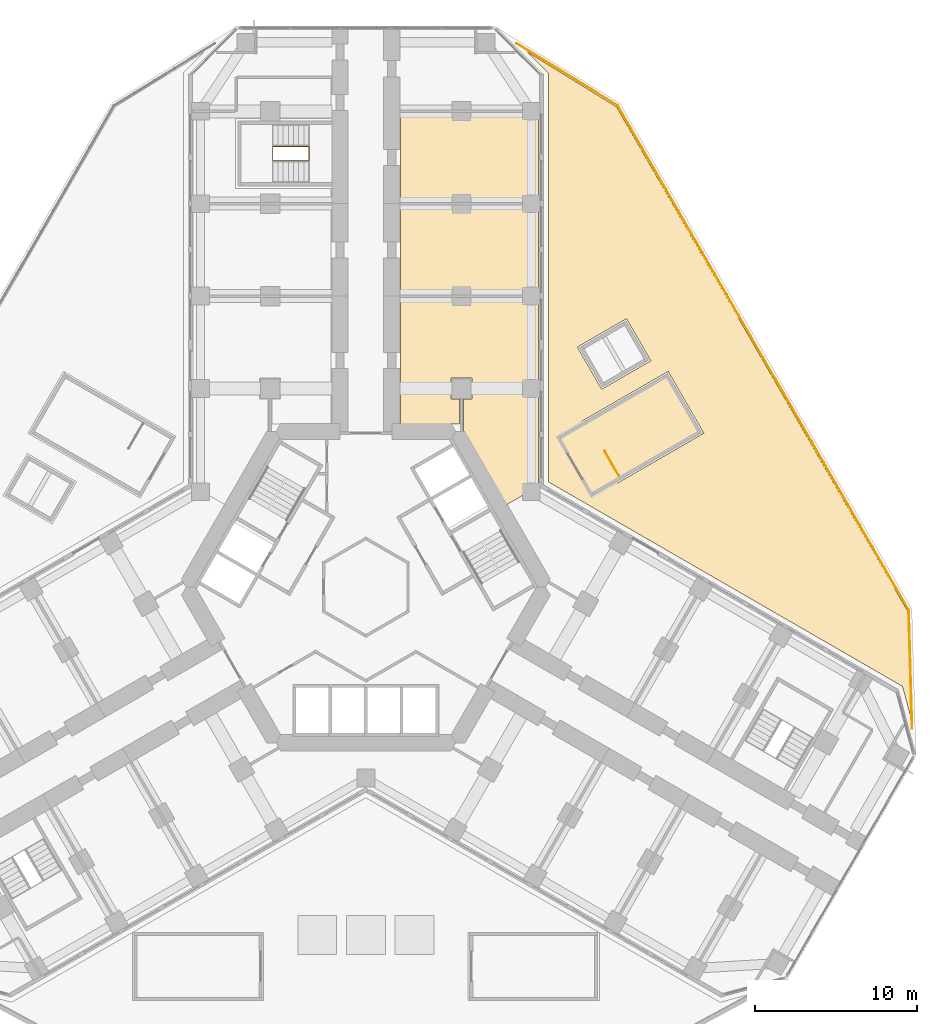
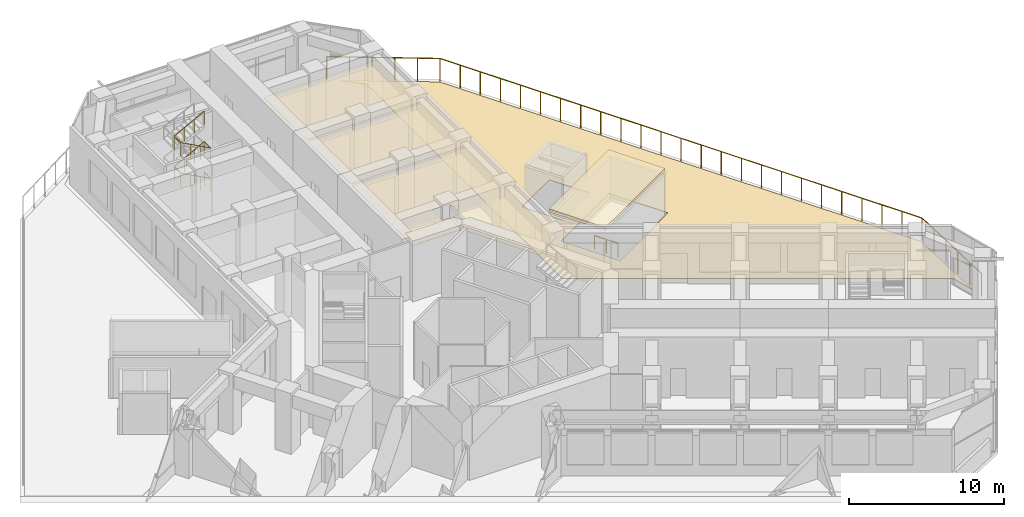
# One storey, part 18 of 18: 5 coverings, 3 railings.
"""IFC4 building model written with IfcOpenShell, lengths in metres."""

from ifc_helpers import new_model, si_unit, direction, frame, origin, origin_2d, place, context, subcontext, project, spatial, polyline, circle, outline, extrude, material, layer, layer_set, type_object, element, save


model = new_model("IFC4")

# Units and contexts
model_context = context("Model", 3, precision=1e-05, world=origin(), true_north=direction((0.0, 1.0)))
body_context = subcontext(model_context, "Body", "Model", "MODEL_VIEW")
ifc_project = project(units=[si_unit("LENGTHUNIT", "METRE"), si_unit("AREAUNIT", "SQUARE_METRE"), si_unit("VOLUMEUNIT", "CUBIC_METRE"), si_unit("PLANEANGLEUNIT", "RADIAN"), si_unit("MASSUNIT", "GRAM", prefix="KILO")], contexts=[model_context])

# Site, building, storey
site_placement = place(None, origin())
site = spatial("IfcSite", under=ifc_project, at=site_placement, CompositionType="ELEMENT")
building_placement = place(site_placement, origin())
building = spatial("IfcBuilding", under=site, at=building_placement, Name="Kosmar Iwan School Tower", CompositionType="ELEMENT")
storey_placement = place(building_placement, frame((0.0, 0.0, 20.39990234375)))
storey = spatial("IfcBuildingStorey", under=building, at=storey_placement, Name="L04", CompositionType="ELEMENT", Elevation=20.39990234375)

# Coverings
ifc_material_1 = material(Name="Mineral fibre acoustic tiles")
ifc_layer_1 = layer(ifc_material_1, 0.02490234375)
ifc_layer_set_1 = layer_set([ifc_layer_1], Name="Acoustic ceiling")
covering_type_1 = type_object("IfcCoveringType", Name="Acoustic ceiling", PredefinedType="CEILING", material=ifc_layer_set_1)
covering_1_placement = place(storey_placement, frame((0.0, 0.0, 3.650146484375)))
element("IfcCovering", 1, at=covering_1_placement, inside=storey, type_object=covering_type_1, Name="Ceiling Physics laboratory AR L04-AR-R1", PredefinedType="CEILING", context=body_context, shape_type="SweptSolid", body=[
    extrude(outline(polyline([(8.67236328125, 5.0791015625), (10.64990234375, 6.224365234375), (10.64990234375, 17.89990234375), (2.14990234375, 17.89990234375), (2.14990234375, 10.050048828125), (5.77490234375, 10.050048828125), (5.77490234375, 11.60009765625), (5.25, 11.60009765625), (5.25, 12.89990234375), (6.550048828125, 12.89990234375), (6.550048828125, 11.60009765625), (6.02490234375, 11.60009765625), (6.02490234375, 9.664306640625), (8.67236328125, 5.0791015625)])), origin(), (0.0, 0.0, 1.0), 0.02490234375),
])
covering_2_placement = place(storey_placement, frame((0.0, 0.0, 3.650146484375)))
element("IfcCovering", 2, at=covering_2_placement, inside=storey, type_object=covering_type_1, Name="Ceiling Chemistry laboratory AR L04-AR-R2", PredefinedType="CEILING", context=body_context, shape_type="SweptSolid", body=[
    extrude(outline(polyline([(2.14990234375, 18.06005859375), (10.64990234375, 18.06005859375), (10.64990234375, 23.60009765625), (2.14990234375, 23.60009765625), (2.14990234375, 18.06005859375)])), origin(), (0.0, 0.0, 1.0), 0.02490234375),
])
covering_3_placement = place(storey_placement, frame((0.0, 0.0, 3.650146484375)))
element("IfcCovering", 3, at=covering_3_placement, inside=storey, type_object=covering_type_1, Name="Ceiling Biology laboratory AR L04-AR-R3", PredefinedType="CEILING", context=body_context, shape_type="SweptSolid", body=[
    extrude(outline(polyline([(2.14990234375, 23.760009765625), (10.64990234375, 23.760009765625), (10.64990234375, 29.300048828125), (2.14990234375, 29.300048828125), (2.14990234375, 23.760009765625)])), origin(), (0.0, 0.0, 1.0), 0.02490234375),
])

# Railing
ifc_material_2 = material(Name="Black steel", Category="steel")
railing_type_1 = type_object("IfcRailingType", Name="Play deck guard 1800", PredefinedType="GUARDRAIL", material=ifc_material_2)
railing_1_placement = place(storey_placement, frame((9.297607421875, 33.53515625, 0.0400390625)))
element("IfcRailing", 4, at=railing_1_placement, inside=storey, type_object=railing_type_1, Name="Play deck guard AC", PredefinedType="GUARDRAIL", context=body_context, shape_type="SweptSolid", body=[
    extrude(circle(Radius=0.02392578125, at=origin_2d()), frame((0.0, 0.0, 1.77587890625), z_axis=(0.851476281934, -0.52439311714, 0.0), x_axis=(0.52439311714, 0.851476281934, 0.0)), (0.0, 0.0, 1.0), 7.32373046875),
    extrude(circle(Radius=0.02392578125, at=origin_2d()), frame((6.236083984375, -3.840576171875, 1.77587890625), z_axis=(0.500000316343, -0.866025221144, 0.0), x_axis=(0.866025221144, 0.500000316343, 0.0)), (0.0, 0.0, 1.0), 35.89892578125),
    extrude(circle(Radius=0.02392578125, at=origin_2d()), frame((24.185546875, -34.929931640625, 1.77587890625), z_axis=(0.028401797259, -0.999596587585, 0.0), x_axis=(0.999596587585, 0.028401797259, 0.0)), (0.0, 0.0, 1.0), 7.32373046875),
    extrude(circle(Radius=0.02099609375, at=origin_2d()), origin(), (0.0, 0.0, 1.0), 1.751953125),
    extrude(circle(Radius=0.02099609375, at=origin_2d()), frame((1.247314453125, -0.76806640625, 0.0)), (0.0, 0.0, 1.0), 1.751953125),
    extrude(circle(Radius=0.02099609375, at=origin_2d()), frame((2.494384765625, -1.5361328125, 0.0)), (0.0, 0.0, 1.0), 1.751953125),
    extrude(circle(Radius=0.02099609375, at=origin_2d()), frame((3.74169921875, -2.304443359375, 0.0)), (0.0, 0.0, 1.0), 1.751953125),
    extrude(circle(Radius=0.02099609375, at=origin_2d()), frame((4.98876953125, -3.072509765625, 0.0)), (0.0, 0.0, 1.0), 1.751953125),
    extrude(circle(Radius=0.02099609375, at=origin_2d()), frame((6.236083984375, -3.840576171875, 0.0)), (0.0, 0.0, 1.0), 1.751953125),
    extrude(circle(Radius=0.02099609375, at=origin_2d()), frame((6.98388671875, -5.135986328125, 0.0)), (0.0, 0.0, 1.0), 1.751953125),
    extrude(circle(Radius=0.02099609375, at=origin_2d()), frame((7.73193359375, -6.431396484375, 0.0)), (0.0, 0.0, 1.0), 1.751953125),
    extrude(circle(Radius=0.02099609375, at=origin_2d()), frame((8.479736328125, -7.726806640625, 0.0)), (0.0, 0.0, 1.0), 1.751953125),
    extrude(circle(Radius=0.02099609375, at=origin_2d()), frame((9.2275390625, -9.022216796875, 0.0)), (0.0, 0.0, 1.0), 1.751953125),
    extrude(circle(Radius=0.02099609375, at=origin_2d()), frame((9.9755859375, -10.317626953125, 0.0)), (0.0, 0.0, 1.0), 1.751953125),
    extrude(circle(Radius=0.02099609375, at=origin_2d()), frame((10.723388671875, -11.61279296875, 0.0)), (0.0, 0.0, 1.0), 1.751953125),
    extrude(circle(Radius=0.02099609375, at=origin_2d()), frame((11.471435546875, -12.908203125, 0.0)), (0.0, 0.0, 1.0), 1.751953125),
    extrude(circle(Radius=0.02099609375, at=origin_2d()), frame((12.21923828125, -14.20361328125, 0.0)), (0.0, 0.0, 1.0), 1.751953125),
    extrude(circle(Radius=0.02099609375, at=origin_2d()), frame((12.967041015625, -15.4990234375, 0.0)), (0.0, 0.0, 1.0), 1.751953125),
    extrude(circle(Radius=0.02099609375, at=origin_2d()), frame((13.715087890625, -16.79443359375, 0.0)), (0.0, 0.0, 1.0), 1.751953125),
    extrude(circle(Radius=0.02099609375, at=origin_2d()), frame((14.462890625, -18.08984375, 0.0)), (0.0, 0.0, 1.0), 1.751953125),
    extrude(circle(Radius=0.02099609375, at=origin_2d()), frame((15.2109375, -19.38525390625, 0.0)), (0.0, 0.0, 1.0), 1.751953125),
    extrude(circle(Radius=0.02099609375, at=origin_2d()), frame((15.958740234375, -20.6806640625, 0.0)), (0.0, 0.0, 1.0), 1.751953125),
    extrude(circle(Radius=0.02099609375, at=origin_2d()), frame((16.70654296875, -21.97607421875, 0.0)), (0.0, 0.0, 1.0), 1.751953125),
    extrude(circle(Radius=0.02099609375, at=origin_2d()), frame((17.45458984375, -23.271484375, 0.0)), (0.0, 0.0, 1.0), 1.751953125),
    extrude(circle(Radius=0.02099609375, at=origin_2d()), frame((18.202392578125, -24.56689453125, 0.0)), (0.0, 0.0, 1.0), 1.751953125),
    extrude(circle(Radius=0.02099609375, at=origin_2d()), frame((18.9501953125, -25.8623046875, 0.0)), (0.0, 0.0, 1.0), 1.751953125),
    extrude(circle(Radius=0.02099609375, at=origin_2d()), frame((19.6982421875, -27.15771484375, 0.0)), (0.0, 0.0, 1.0), 1.751953125),
    extrude(circle(Radius=0.02099609375, at=origin_2d()), frame((20.446044921875, -28.452880859375, 0.0)), (0.0, 0.0, 1.0), 1.751953125),
    extrude(circle(Radius=0.02099609375, at=origin_2d()), frame((21.19384765625, -29.748291015625, 0.0)), (0.0, 0.0, 1.0), 1.751953125),
    extrude(circle(Radius=0.02099609375, at=origin_2d()), frame((21.94189453125, -31.043701171875, 0.0)), (0.0, 0.0, 1.0), 1.751953125),
    extrude(circle(Radius=0.02099609375, at=origin_2d()), frame((22.689697265625, -32.339111328125, 0.0)), (0.0, 0.0, 1.0), 1.751953125),
    extrude(circle(Radius=0.02099609375, at=origin_2d()), frame((23.437744140625, -33.634521484375, 0.0)), (0.0, 0.0, 1.0), 1.751953125),
    extrude(circle(Radius=0.02099609375, at=origin_2d()), frame((24.185546875, -34.929931640625, 0.0)), (0.0, 0.0, 1.0), 1.751953125),
    extrude(circle(Radius=0.02099609375, at=origin_2d()), frame((24.22705078125, -36.39404296875, 0.0)), (0.0, 0.0, 1.0), 1.751953125),
    extrude(circle(Radius=0.02099609375, at=origin_2d()), frame((24.268798828125, -37.858154296875, 0.0)), (0.0, 0.0, 1.0), 1.751953125),
    extrude(circle(Radius=0.02099609375, at=origin_2d()), frame((24.310302734375, -39.322509765625, 0.0)), (0.0, 0.0, 1.0), 1.751953125),
    extrude(circle(Radius=0.02099609375, at=origin_2d()), frame((24.35205078125, -40.78662109375, 0.0)), (0.0, 0.0, 1.0), 1.751953125),
    extrude(circle(Radius=0.02099609375, at=origin_2d()), frame((24.3935546875, -42.250732421875, 0.0)), (0.0, 0.0, 1.0), 1.751953125),
])

# Coverings
ifc_material_3 = material(Name="Rubber safety surfacing")
ifc_layer_2 = layer(ifc_material_3, 0.0400390625)
ifc_layer_set_2 = layer_set([ifc_layer_2], Name="Play deck safety surface")
covering_type_2 = type_object("IfcCoveringType", Name="Play deck safety surface", PredefinedType="FLOORING", material=ifc_layer_set_2)
covering_4_placement = place(storey_placement, origin())
element("IfcCovering", 5, at=covering_4_placement, inside=storey, type_object=covering_type_2, Name="Play deck surface AC", PredefinedType="FLOORING", context=body_context, shape_type="SweptSolid", body=[
    extrude(outline(polyline([(33.56689453125, -7.86572265625), (33.384033203125, -1.4228515625), (15.459716796875, 29.622802734375), (9.971435546875, 33.002685546875), (11.25, 31.724365234375), (11.25, 6.4951171875), (33.09912109375, -6.119384765625), (33.56689453125, -7.86572265625)]), holes=[polyline([(18.645263671875, 13.30517578125), (13.29345703125, 10.21533203125), (15.493408203125, 6.40478515625), (20.845458984375, 9.49462890625), (18.645263671875, 13.30517578125)]), polyline([(17.57568359375, 13.957763671875), (16.07568359375, 16.555908203125), (13.044677734375, 14.805908203125), (14.544677734375, 12.207763671875), (17.57568359375, 13.957763671875)])]), origin(), (0.0, 0.0, 1.0), 0.0400390625),
])
ifc_material_4 = material(Name="Insulated roofing membrane")
ifc_layer_3 = layer(ifc_material_4, 0.25)
ifc_layer_set_3 = layer_set([ifc_layer_3], Name="Roof membrane and insulation")
covering_type_3 = type_object("IfcCoveringType", Name="Roof membrane and insulation", PredefinedType="ROOFING", material=ifc_layer_set_3)
covering_5_placement = place(storey_placement, frame((0.0, 0.0, 3.400146484375)))
element("IfcCovering", 6, at=covering_5_placement, inside=storey, type_object=covering_type_3, Name="School stair SS3 roof covering", PredefinedType="ROOFING", context=body_context, shape_type="SweptSolid", body=[
    extrude(outline(polyline([(13.953857421875, 5.63134765625), (20.6220703125, 9.4814453125), (18.522216796875, 13.11865234375), (11.853759765625, 9.2685546875), (13.953857421875, 5.63134765625)])), origin(), (0.0, 0.0, 1.0), 0.25),
])

# Railings
ifc_material_5 = material(Name="Black steel", Category="steel")
railing_type_2 = type_object("IfcRailingType", Name="Stair well guard 1100", PredefinedType="GUARDRAIL", material=ifc_material_5)
railing_2_placement = place(storey_placement, frame((-3.5, 27.169921875, 0.0)))
element("IfcRailing", 7, at=railing_2_placement, inside=storey, type_object=railing_type_2, Name="Stair WS1 L04 well guard", PredefinedType="GUARDRAIL", context=body_context, shape_type="SweptSolid", body=[
    extrude(circle(Radius=0.02392578125, at=origin_2d()), frame((0.0, 0.0, 1.076171875), z_axis=(0.0, -1.0, 0.0), x_axis=(1.0, 0.0, 0.0)), (0.0, 0.0, 1.0), 0.83984375),
    extrude(circle(Radius=0.02392578125, at=origin_2d()), frame((0.0, -0.83984375, 1.076171875), z_axis=(-0.881447119201, 0.0, 0.472282728937), x_axis=(0.0, -1.0, 0.0)), (0.0, 0.0, 1.0), 2.541259765625),
    extrude(circle(Radius=0.02392578125, at=origin_2d()), frame((-2.239990234375, -0.83984375, 2.2763671875), z_axis=(0.0, 1.0, 0.0), x_axis=(-1.0, 0.0, 0.0)), (0.0, 0.0, 1.0), 0.83984375),
    extrude(circle(Radius=0.02392578125, at=origin_2d()), frame((-2.239990234375, 0.0, 2.2763671875), z_axis=(0.881487111273, 0.0, 0.472208081951), x_axis=(0.0, 1.0, 0.0)), (0.0, 0.0, 1.0), 2.541259765625),
    extrude(circle(Radius=0.02392578125, at=origin_2d()), frame((0.0, 0.0, 3.47607421875), z_axis=(0.0, -1.0, 0.0), x_axis=(1.0, 0.0, 0.0)), (0.0, 0.0, 1.0), 0.83984375),
    extrude(circle(Radius=0.02392578125, at=origin_2d()), frame((0.0, -0.83984375, 3.47607421875), z_axis=(-0.881487111273, 0.0, 0.472208081951), x_axis=(0.0, -1.0, 0.0)), (0.0, 0.0, 1.0), 2.541259765625),
    extrude(circle(Radius=0.02392578125, at=origin_2d()), frame((-2.239990234375, -0.83984375, 4.67626953125), z_axis=(0.0, 1.0, 0.0), x_axis=(-1.0, 0.0, 0.0)), (0.0, 0.0, 1.0), 0.83984375),
    extrude(circle(Radius=0.02392578125, at=origin_2d()), frame((-2.239990234375, 0.0, 4.67626953125), z_axis=(0.881487111273, 0.0, 0.472208081951), x_axis=(0.0, 1.0, 0.0)), (0.0, 0.0, 1.0), 2.541259765625),
    extrude(circle(Radius=0.02099609375, at=origin_2d()), origin(), (0.0, 0.0, 1.0), 1.052001953125),
    extrude(circle(Radius=0.02099609375, at=origin_2d()), frame((0.0, -0.83984375, 0.0)), (0.0, 0.0, 1.0), 1.052001953125),
    extrude(circle(Radius=0.02099609375, at=origin_2d()), frame((-0.74658203125, -0.83984375, 0.400146484375)), (0.0, 0.0, 1.0), 1.052001953125),
    extrude(circle(Radius=0.02099609375, at=origin_2d()), frame((-1.493408203125, -0.83984375, 0.800048828125)), (0.0, 0.0, 1.0), 1.052001953125),
    extrude(circle(Radius=0.02099609375, at=origin_2d()), frame((-2.239990234375, -0.83984375, 1.2001953125)), (0.0, 0.0, 1.0), 1.052001953125),
    extrude(circle(Radius=0.02099609375, at=origin_2d()), frame((-2.239990234375, 0.0, 1.2001953125)), (0.0, 0.0, 1.0), 1.052001953125),
    extrude(circle(Radius=0.02099609375, at=origin_2d()), frame((-1.493408203125, 0.0, 1.60009765625)), (0.0, 0.0, 1.0), 1.052001953125),
    extrude(circle(Radius=0.02099609375, at=origin_2d()), frame((-0.74658203125, 0.0, 2.000244140625)), (0.0, 0.0, 1.0), 1.052001953125),
    extrude(circle(Radius=0.02099609375, at=origin_2d()), frame((0.0, 0.0, 2.400146484375)), (0.0, 0.0, 1.0), 1.052001953125),
    extrude(circle(Radius=0.02099609375, at=origin_2d()), frame((0.0, -0.83984375, 2.400146484375)), (0.0, 0.0, 1.0), 1.052001953125),
    extrude(circle(Radius=0.02099609375, at=origin_2d()), frame((-0.74658203125, -0.83984375, 2.800048828125)), (0.0, 0.0, 1.0), 1.052001953125),
    extrude(circle(Radius=0.02099609375, at=origin_2d()), frame((-1.493408203125, -0.83984375, 3.2001953125)), (0.0, 0.0, 1.0), 1.052001953125),
    extrude(circle(Radius=0.02099609375, at=origin_2d()), frame((-2.239990234375, -0.83984375, 3.60009765625)), (0.0, 0.0, 1.0), 1.052001953125),
    extrude(circle(Radius=0.02099609375, at=origin_2d()), frame((-2.239990234375, 0.0, 3.60009765625)), (0.0, 0.0, 1.0), 1.052001953125),
    extrude(circle(Radius=0.02099609375, at=origin_2d()), frame((-1.493408203125, 0.0, 4.0)), (0.0, 0.0, 1.0), 1.052001953125),
    extrude(circle(Radius=0.02099609375, at=origin_2d()), frame((-0.74658203125, 0.0, 4.400146484375)), (0.0, 0.0, 1.0), 1.052001953125),
    extrude(circle(Radius=0.02099609375, at=origin_2d()), frame((0.0, 0.0, 4.800048828125)), (0.0, 0.0, 1.0), 1.052001953125),
])
railing_3_placement = place(storey_placement, frame((15.604248046875, 6.872802734375, 0.0)))
element("IfcRailing", 8, at=railing_3_placement, inside=storey, type_object=railing_type_2, Name="School stair SS3 well guard", PredefinedType="GUARDRAIL", context=body_context, shape_type="SweptSolid", body=[
    extrude(circle(Radius=0.02392578125, at=origin_2d()), frame((0.0, 0.0, 1.076171875), z_axis=(-0.499980071345, 0.866036909293, 0.0), x_axis=(-0.866036909293, -0.499980071345, 0.0)), (0.0, 0.0, 1.0), 1.75),
    extrude(circle(Radius=0.02099609375, at=origin_2d()), origin(), (0.0, 0.0, 1.0), 1.052001953125),
    extrude(circle(Radius=0.02099609375, at=origin_2d()), frame((-0.4375, 0.7578125, 0.0)), (0.0, 0.0, 1.0), 1.052001953125),
    extrude(circle(Radius=0.02099609375, at=origin_2d()), frame((-0.875, 1.515625, 0.0)), (0.0, 0.0, 1.0), 1.052001953125),
])

save(model, "model.ifc")
